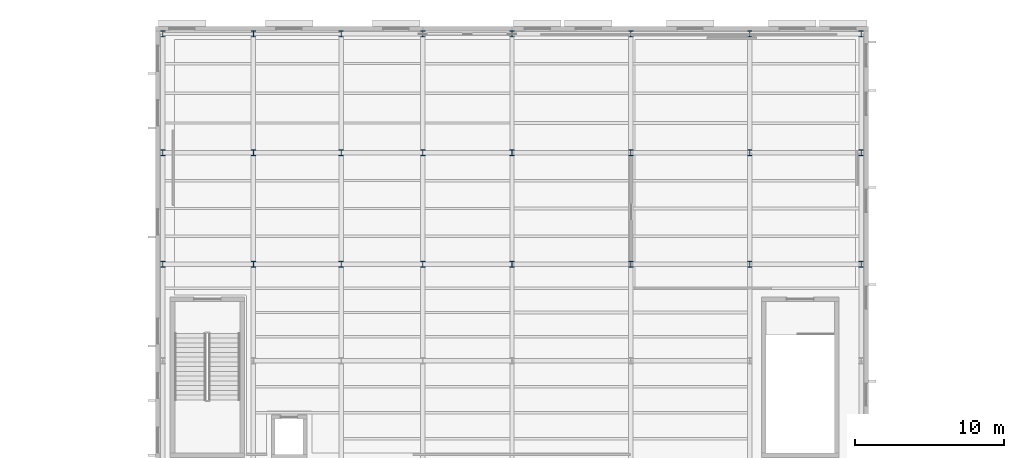
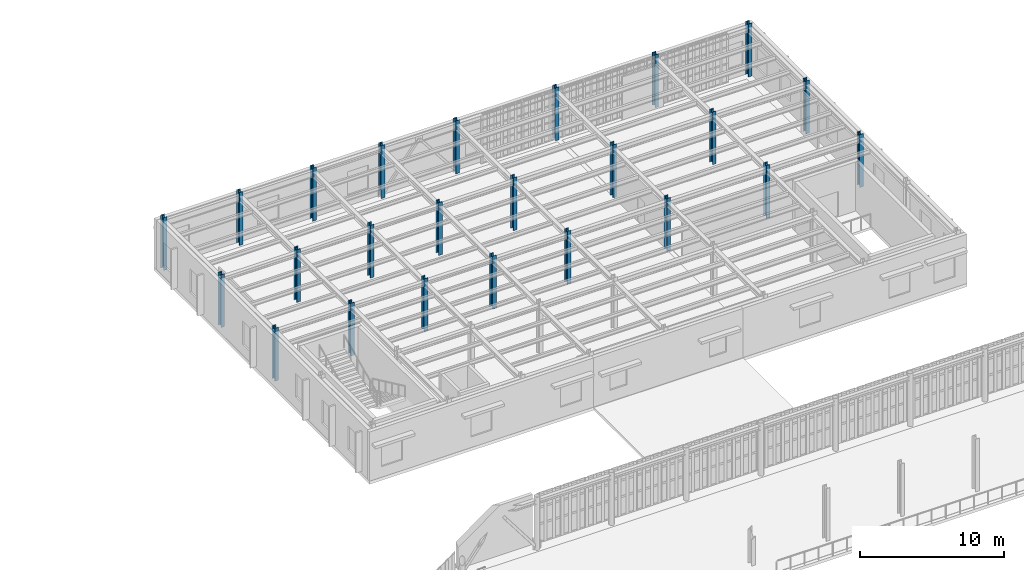
# One storey, part 13 of 91: 24 columns.
"""IFC4 building model written with IfcOpenShell, lengths in metres."""

from ifc_helpers import new_model, si_unit, direction, frame, origin, origin_2d, place, context, subcontext, project, spatial, i_section, extrude, material, material_profile, profile_set, type_object, element, save


model = new_model("IFC4")

# Units and contexts
model_context = context("Model", 3, precision=1e-05, world=origin(), true_north=direction((0.0, 1.0)))
body_context = subcontext(model_context, "Body", "Model", "MODEL_VIEW")
ifc_project = project(units=[si_unit("LENGTHUNIT", "METRE"), si_unit("AREAUNIT", "SQUARE_METRE"), si_unit("VOLUMEUNIT", "CUBIC_METRE"), si_unit("PLANEANGLEUNIT", "RADIAN"), si_unit("MASSUNIT", "GRAM", prefix="KILO")], contexts=[model_context])

# Site, building, storey
site_placement = place(None, origin())
site = spatial("IfcSite", under=ifc_project, at=site_placement, CompositionType="ELEMENT")
building_placement = place(site_placement, origin())
building = spatial("IfcBuilding", under=site, at=building_placement, Name="Kolvaren Corner Interchange", CompositionType="ELEMENT")
storey_placement = place(building_placement, frame((0.0, 0.0, 6.0)))
storey = spatial("IfcBuildingStorey", under=building, at=storey_placement, Name="L02", CompositionType="ELEMENT", Elevation=6.0)

# Columns
ifc_material = material(Name="Steel S355", Category="steel")
ifc_material_profile = material_profile(ifc_material, i_section(OverallWidth=0.300048828125, OverallDepth=0.39990234375, WebThickness=0.013427734375, FlangeThickness=0.02392578125, FilletRadius=0.027099609375, at=origin_2d()), Name="HEB 400")
ifc_profile_set = profile_set([ifc_material_profile], Name="Steel S355")
column_type = type_object("IfcColumnType", Name="COL-HEB400", PredefinedType="COLUMN", material=ifc_profile_set)
for number, where, z_axis, x_axis, name in (
    (1, (66.5, 98.0, 0.0), (0.0, 0.0, 1.0), (1.0, 0.0, 0.0), "Storey L02 Structural Column 0854"),
    (2, (66.5, 105.5, 0.0), (0.0, 0.0, 1.0), (1.0, 0.0, 0.0), "Storey L02 Structural Column 0857"),
    (3, (66.5, 113.5, 0.0), (0.0, 0.0, 1.0), (1.0, 0.0, 0.0), "Storey L02 Structural Column 0859"),
    (4, (72.60009765625, 98.0, 0.0), (0.0, 0.0, 1.0), (1.0, 0.0, 0.0), "Storey L02 Structural Column 0867"),
    (5, (72.60009765625, 105.5, 0.0), (0.0, 0.0, 1.0), (1.0, 0.0, 0.0), "Storey L02 Structural Column 0870"),
    (6, (72.60009765625, 113.5, 0.0), (0.0, 0.0, 1.0), (1.0, 0.0, 0.0), "Storey L02 Structural Column 0872"),
    (7, (78.5, 98.0, 0.0), (0.0, 0.0, 1.0), (1.0, 0.0, 0.0), "Storey L02 Structural Column 0880"),
    (8, (78.5, 105.5, 0.0), (0.0, 0.0, 1.0), (1.0, 0.0, 0.0), "Storey L02 Structural Column 0883"),
    (9, (78.5, 113.5, 0.0), (0.0, 0.0, 1.0), (1.0, 0.0, 0.0), "Storey L02 Structural Column 0885"),
    (10, (84.0, 98.0, 0.0), (0.0, 0.0, 1.0), (1.0, 0.0, 0.0), "Storey L02 Structural Column 0891"),
    (11, (84.0, 105.5, 0.0), (0.0, 0.0, 1.0), (1.0, 0.0, 0.0), "Storey L02 Structural Column 0893"),
    (12, (84.0, 113.5, 0.0), (0.0, 0.0, 1.0), (1.0, 0.0, 0.0), "Storey L02 Structural Column 0895"),
    (13, (90.0, 98.0, 0.0), (0.0, 0.0, 1.0), (1.0, 0.0, 0.0), "Storey L02 Structural Column 0901"),
    (14, (90.0, 105.5, 0.0), (0.0, 0.0, 1.0), (1.0, 0.0, 0.0), "Storey L02 Structural Column 0903"),
    (15, (90.0, 113.5, 0.0), (0.0, 0.0, 1.0), (1.0, 0.0, 0.0), "Storey L02 Structural Column 0905"),
    (16, (98.0, 98.0, 0.0), (0.0, 0.0, 1.0), (1.0, 0.0, 0.0), "Storey L02 Structural Column 0911"),
    (17, (98.0, 105.5, 0.0), (0.0, 0.0, 1.0), (1.0, 0.0, 0.0), "Storey L02 Structural Column 0913"),
    (18, (98.0, 113.5, 0.0), (0.0, 0.0, 1.0), (1.0, 0.0, 0.0), "Storey L02 Structural Column 0915"),
    (19, (106.0, 98.0, 0.0), (0.0, 0.0, 1.0), (1.0, 0.0, 0.0), "Storey L02 Structural Column 0921"),
    (20, (106.0, 105.5, 0.0), (0.0, 0.0, 1.0), (1.0, 0.0, 0.0), "Storey L02 Structural Column 0923"),
    (21, (106.0, 113.5, 0.0), (0.0, 0.0, 1.0), (1.0, 0.0, 0.0), "Storey L02 Structural Column 0925"),
    (22, (113.5, 98.0, 0.0), (0.0, 0.0, 1.0), (1.0, 0.0, 0.0), "Storey L02 Structural Column 0931"),
    (23, (113.5, 105.5, 0.0), (0.0, 0.0, 1.0), (1.0, 0.0, 0.0), "Storey L02 Structural Column 0933"),
    (24, (113.5, 113.5, 0.0), (0.0, 0.0, 1.0), (1.0, 0.0, 0.0), "Storey L02 Structural Column 0935"),
):
    element("IfcColumn", number, at=place(storey_placement, frame(where, z_axis=z_axis, x_axis=x_axis)), inside=storey, type_object=column_type, Name=name, PredefinedType="COLUMN", context=body_context, shape_type="SweptSolid", body=[
        extrude(i_section(OverallWidth=0.300048828125, OverallDepth=0.39990234375, WebThickness=0.013427734375, FlangeThickness=0.02392578125, FilletRadius=0.027099609375, at=origin_2d()), origin(), (0.0, 0.0, 1.0), 4.5),
    ])

save(model, "model.ifc")
